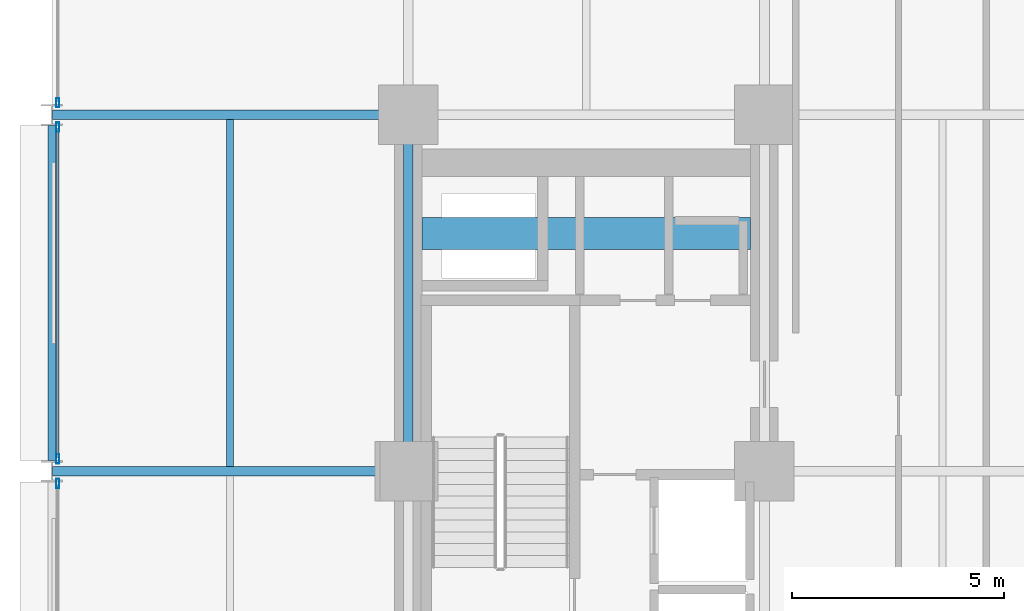
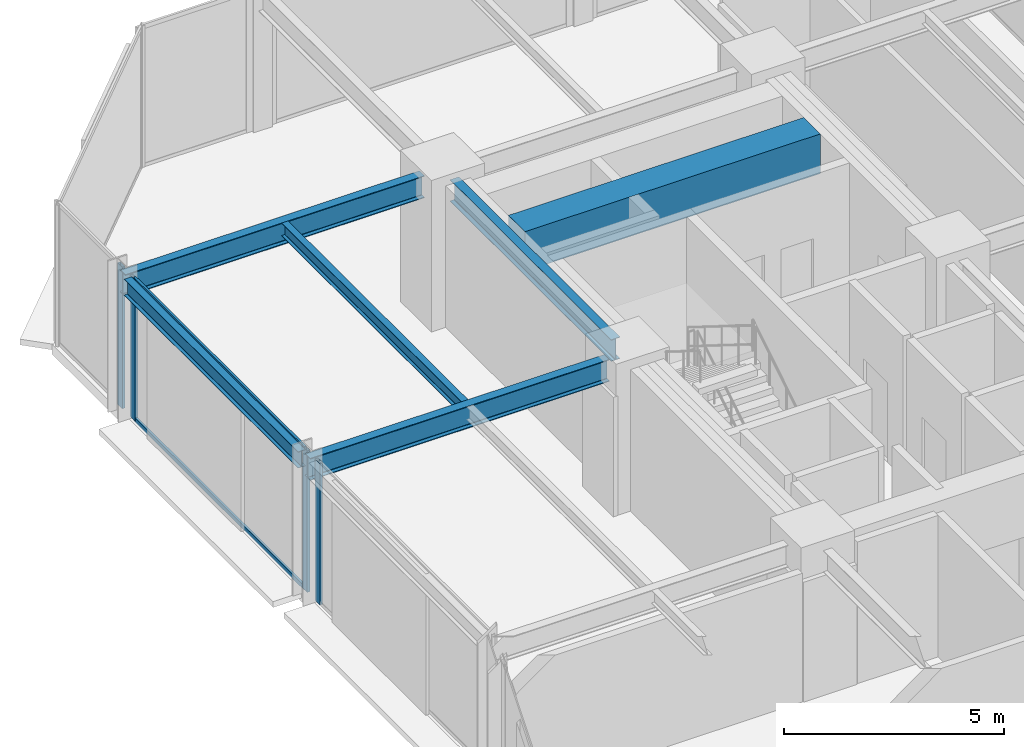
# One storey, part 16 of 27: 6 beams, 6 members, 3 elements without a shape of their own.
"""IFC4 building model written with IfcOpenShell, lengths in metres."""

from ifc_helpers import new_model, si_unit, direction, frame, origin, origin_2d, place, context, subcontext, project, spatial, rectangle, hollow_rectangle, i_section, extrude, material, layer, layer_set, material_profile, profile_set, type_object, element, aggregate, save


model = new_model("IFC4")

# Units and contexts
model_context = context("Model", 3, precision=1e-05, world=origin(), true_north=direction((0.0, 1.0)))
body_context = subcontext(model_context, "Body", "Model", "MODEL_VIEW")
ifc_project = project(units=[si_unit("LENGTHUNIT", "METRE"), si_unit("AREAUNIT", "SQUARE_METRE"), si_unit("VOLUMEUNIT", "CUBIC_METRE"), si_unit("PLANEANGLEUNIT", "RADIAN"), si_unit("MASSUNIT", "GRAM", prefix="KILO")], contexts=[model_context])

# Site, building, storey
site_placement = place(None, origin())
site = spatial("IfcSite", under=ifc_project, at=site_placement, CompositionType="ELEMENT")
building_placement = place(site_placement, origin())
building = spatial("IfcBuilding", under=site, at=building_placement, Name="Nerrivon Quay Data Exchange", CompositionType="ELEMENT")
storey_placement = place(building_placement, frame((0.0, 0.0, 66.800048828125)))
storey = spatial("IfcBuildingStorey", under=building, at=storey_placement, Name="L15", CompositionType="ELEMENT", Elevation=66.800048828125)

# Beams
ifc_material_1 = material(Name="Concrete S65 (65 MPa)", Category="concrete")
ifc_material_profile_1 = material_profile(ifc_material_1, rectangle(XDim=0.75, YDim=1.10009765625, at=origin_2d()), Name="RC-CB-750x1100")
ifc_profile_set_1 = profile_set([ifc_material_profile_1], Name="Concrete S65 (65 MPa)")
beam_type_1 = type_object("IfcBeamType", Name="BM-CB1-750x1100", PredefinedType="LINTEL", material=ifc_profile_set_1)
beam_1_placement = place(storey_placement, frame((8.72509765625, 39.199951171875, 3.375), z_axis=(1.0, 0.0, 0.0), x_axis=(0.0, 1.0, 0.0)))
element("IfcBeam", 1, at=beam_1_placement, inside=storey, type_object=beam_type_1, Name="L15 West Core Coupling Beam", PredefinedType="LINTEL", context=body_context, shape_type="SweptSolid", body=[
    extrude(rectangle(XDim=0.75, YDim=1.10009765625, at=origin_2d()), origin(), (0.0, 0.0, 1.0), 7.75),
])
ifc_material_2 = material(Name="Steel Grade 350", Category="steel")
ifc_material_profile_2 = material_profile(ifc_material_2, i_section(OverallWidth=0.22900390625, OverallDepth=0.612060546875, WebThickness=0.011962890625, FlangeThickness=0.01953125, FilletRadius=0.013916015625, at=origin_2d()), Name="610UB125")
ifc_profile_set_2 = profile_set([ifc_material_profile_2], Name="Steel Grade 350")
beam_type_2 = type_object("IfcBeamType", Name="BM-G1-610UB125", PredefinedType="BEAM", material=ifc_profile_set_2)
for number, where, z_axis, x_axis, name in (
    (2, (0.013916015625, 33.60009765625, 3.618896484375), (1.0, 0.0, 0.0), (0.0, 1.0, 0.0), "L15 EW Girder Y=33.6 (0.0..8.4)"),
    (3, (0.013916015625, 42.0, 3.618896484375), (1.0, 0.0, 0.0), (0.0, 1.0, 0.0), "L15 EW Girder Y=42.0 (0.0..8.4)"),
):
    element("IfcBeam", number, at=place(storey_placement, frame(where, z_axis=z_axis, x_axis=x_axis)), inside=storey, type_object=beam_type_2, Name=name, PredefinedType="BEAM", context=body_context, shape_type="SweptSolid", body=[
        extrude(i_section(OverallWidth=0.22900390625, OverallDepth=0.612060546875, WebThickness=0.011962890625, FlangeThickness=0.01953125, FilletRadius=0.013916015625, at=origin_2d()), origin(), (0.0, 0.0, 1.0), 7.84619140625),
    ])
ifc_material_profile_3 = material_profile(ifc_material_2, i_section(OverallWidth=0.22802734375, OverallDepth=0.60205078125, WebThickness=0.010498046875, FlangeThickness=0.014892578125, FilletRadius=0.013916015625, at=origin_2d()), Name="610UB101")
ifc_profile_set_3 = profile_set([ifc_material_profile_3], Name="Steel Grade 350")
beam_type_3 = type_object("IfcBeamType", Name="BM-G2-610UB101", PredefinedType="BEAM", material=ifc_profile_set_3)
beam_2_placement = place(storey_placement, frame((8.39990234375, 34.139892578125, 3.6240234375), z_axis=(0.0, 1.0, 0.0), x_axis=(-1.0, 0.0, 0.0)))
element("IfcBeam", 4, at=beam_2_placement, inside=storey, type_object=beam_type_3, Name="L15 NS Girder X=8.4 (33.6..42.0)", PredefinedType="BEAM", context=body_context, shape_type="SweptSolid", body=[
    extrude(i_section(OverallWidth=0.22802734375, OverallDepth=0.60205078125, WebThickness=0.010498046875, FlangeThickness=0.014892578125, FilletRadius=0.013916015625, at=origin_2d()), origin(), (0.0, 0.0, 1.0), 7.320068359375),
])
ifc_material_profile_4 = material_profile(ifc_material_2, i_section(OverallWidth=0.172119140625, OverallDepth=0.35888671875, WebThickness=0.008056640625, FlangeThickness=0.012939453125, FilletRadius=0.011474609375, at=origin_2d()), Name="360UB56.7")
ifc_profile_set_4 = profile_set([ifc_material_profile_4], Name="Steel Grade 350")
beam_type_4 = type_object("IfcBeamType", Name="BM-J3-360UB57", PredefinedType="JOIST", material=ifc_profile_set_4)
beam_3_placement = place(storey_placement, frame((4.199951171875, 33.714599609375, 3.745361328125), z_axis=(0.0, 1.0, 0.0), x_axis=(-1.0, 0.0, 0.0)))
element("IfcBeam", 5, at=beam_3_placement, inside=storey, type_object=beam_type_4, Name="L15 Secondary Joist X=4.2 (33.6..42.0)", PredefinedType="JOIST", context=body_context, shape_type="SweptSolid", body=[
    extrude(i_section(OverallWidth=0.172119140625, OverallDepth=0.35888671875, WebThickness=0.008056640625, FlangeThickness=0.012939453125, FilletRadius=0.011474609375, at=origin_2d()), origin(), (0.0, 0.0, 1.0), 8.1708984375),
])
ifc_material_profile_5 = material_profile(ifc_material_2, i_section(OverallWidth=0.18994140625, OverallDepth=0.4541015625, WebThickness=0.008544921875, FlangeThickness=0.0126953125, FilletRadius=0.011474609375, at=origin_2d()), Name="460UB67.1")
ifc_profile_set_5 = profile_set([ifc_material_profile_5], Name="Steel Grade 350")
beam_type_5 = type_object("IfcBeamType", Name="BM-SP1-460UB67", PredefinedType="SPANDREL", material=ifc_profile_set_5)
beam_4_placement = place(storey_placement, frame((0.0, 33.85009765625, 3.697998046875), z_axis=(0.0, 1.0, 0.0), x_axis=(-1.0, 0.0, 0.0)))
element("IfcBeam", 6, at=beam_4_placement, inside=storey, type_object=beam_type_5, Name="L15 NS Girder X=0.0 (33.6..42.0)", PredefinedType="SPANDREL", context=body_context, shape_type="SweptSolid", body=[
    extrude(i_section(OverallWidth=0.18994140625, OverallDepth=0.4541015625, WebThickness=0.008544921875, FlangeThickness=0.0126953125, FilletRadius=0.011474609375, at=origin_2d()), origin(), (0.0, 0.0, 1.0), 7.89990234375),
])

# Curtain wall, member
ifc_material_3 = material(Name="Anodised aluminium 6063-T6", Category="aluminium")
ifc_layer = layer(ifc_material_3, 0.219970703125)
ifc_layer_set = layer_set([ifc_layer], Name="Anodised aluminium 6063-T6")
curtain_wall_type = type_object("IfcCurtainWallType", Name="CW-SYS-01", PredefinedType="NOTDEFINED", material=ifc_layer_set)
curtain_wall_1_placement = place(storey_placement, origin())
curtain_wall_1 = element("IfcCurtainWall", 7, at=curtain_wall_1_placement, inside=storey, type_object=curtain_wall_type, Name="L15 Unitised Curtain Wall 20", PredefinedType="NOTDEFINED")
ifc_material_profile_6 = material_profile(ifc_material_3, hollow_rectangle(XDim=0.074951171875, YDim=0.219970703125, WallThickness=0.00390625, at=origin_2d()), Name="ALU-MULL-220x75")
ifc_profile_set_6 = profile_set([ifc_material_profile_6], Name="Anodised aluminium 6063-T6")
member_type_1 = type_object("IfcMemberType", Name="CWM-220x75", PredefinedType="MULLION", material=ifc_profile_set_6)
member_1_placement = place(storey_placement, frame((0.139892578125, 33.3125, 0.0), z_axis=(0.0, 0.0, 1.0), x_axis=(-1.0, 0.0, 0.0)))
member_1 = element("IfcMember", 8, at=member_1_placement, type_object=member_type_1, Name="CW01 mullion 2", PredefinedType="MULLION", context=body_context, shape_type="SweptSolid", body=[
    extrude(hollow_rectangle(XDim=0.074951171875, YDim=0.219970703125, WallThickness=0.00390625, at=origin_2d()), origin(), (0.0, 0.0, 1.0), 3.925048828125),
])
aggregate(curtain_wall_1, [member_1])

# Curtain wall, members
curtain_wall_2_placement = place(storey_placement, origin())
curtain_wall_2 = element("IfcCurtainWall", 9, at=curtain_wall_2_placement, inside=storey, type_object=curtain_wall_type, Name="L15 Unitised Curtain Wall 21", PredefinedType="NOTDEFINED")
member_2_placement = place(storey_placement, frame((0.139892578125, 33.887451171875, 0.0), z_axis=(0.0, 0.0, 1.0), x_axis=(-1.0, 0.0, 0.0)))
member_2 = element("IfcMember", 10, at=member_2_placement, type_object=member_type_1, Name="CW01 mullion 1", PredefinedType="MULLION", context=body_context, shape_type="SweptSolid", body=[
    extrude(hollow_rectangle(XDim=0.074951171875, YDim=0.219970703125, WallThickness=0.00390625, at=origin_2d()), origin(), (0.0, 0.0, 1.0), 3.925048828125),
])
member_3_placement = place(storey_placement, frame((0.139892578125, 41.71240234375, 0.0), z_axis=(0.0, 0.0, 1.0), x_axis=(-1.0, 0.0, 0.0)))
member_3 = element("IfcMember", 11, at=member_3_placement, type_object=member_type_1, Name="CW01 mullion 2", PredefinedType="MULLION", context=body_context, shape_type="SweptSolid", body=[
    extrude(hollow_rectangle(XDim=0.074951171875, YDim=0.219970703125, WallThickness=0.00390625, at=origin_2d()), origin(), (0.0, 0.0, 1.0), 3.925048828125),
])

# Curtain wall, member
curtain_wall_3_placement = place(storey_placement, origin())
curtain_wall_3 = element("IfcCurtainWall", 12, at=curtain_wall_3_placement, inside=storey, type_object=curtain_wall_type, Name="L15 Unitised Curtain Wall 22", PredefinedType="NOTDEFINED")
member_4_placement = place(storey_placement, frame((0.139892578125, 42.28759765625, 0.0), z_axis=(0.0, 0.0, 1.0), x_axis=(-1.0, 0.0, 0.0)))
member_4 = element("IfcMember", 13, at=member_4_placement, type_object=member_type_1, Name="CW01 mullion 1", PredefinedType="MULLION", context=body_context, shape_type="SweptSolid", body=[
    extrude(hollow_rectangle(XDim=0.074951171875, YDim=0.219970703125, WallThickness=0.00390625, at=origin_2d()), origin(), (0.0, 0.0, 1.0), 3.925048828125),
])
aggregate(curtain_wall_3, [member_4])

# Member
ifc_material_profile_7 = material_profile(ifc_material_3, hollow_rectangle(XDim=0.06005859375, YDim=0.1201171875, WallThickness=0.003173828125, at=origin_2d()), Name="ALU-TRAN-120x60")
ifc_profile_set_7 = profile_set([ifc_material_profile_7], Name="Anodised aluminium 6063-T6")
member_type_2 = type_object("IfcMemberType", Name="CWT-120x60", PredefinedType="USERDEFINED", material=ifc_profile_set_7)
member_5_placement = place(storey_placement, frame((0.139892578125, 33.925048828125, 0.032470703125), z_axis=(0.0, 1.0, 0.0), x_axis=(-1.0, 0.0, 0.0)))
member_5 = element("IfcMember", 14, at=member_5_placement, type_object=member_type_2, Name="CW01 transom 1.1", ObjectType="TRANSOM", PredefinedType="USERDEFINED", context=body_context, shape_type="SweptSolid", body=[
    extrude(hollow_rectangle(XDim=0.06005859375, YDim=0.1201171875, WallThickness=0.003173828125, at=origin_2d()), origin(), (0.0, 0.0, 1.0), 7.75),
])

member_6_placement = place(storey_placement, frame((0.139892578125, 33.925048828125, 3.892333984375), z_axis=(0.0, 1.0, 0.0), x_axis=(-1.0, 0.0, 0.0)))
member_6 = element("IfcMember", 15, at=member_6_placement, type_object=member_type_2, Name="CW01 transom 1.2", ObjectType="TRANSOM", PredefinedType="USERDEFINED", context=body_context, shape_type="SweptSolid", body=[
    extrude(hollow_rectangle(XDim=0.06005859375, YDim=0.1201171875, WallThickness=0.003173828125, at=origin_2d()), origin(), (0.0, 0.0, 1.0), 7.75),
])

aggregate(curtain_wall_2, [member_2, member_3, member_5, member_6])

save(model, "model.ifc")
